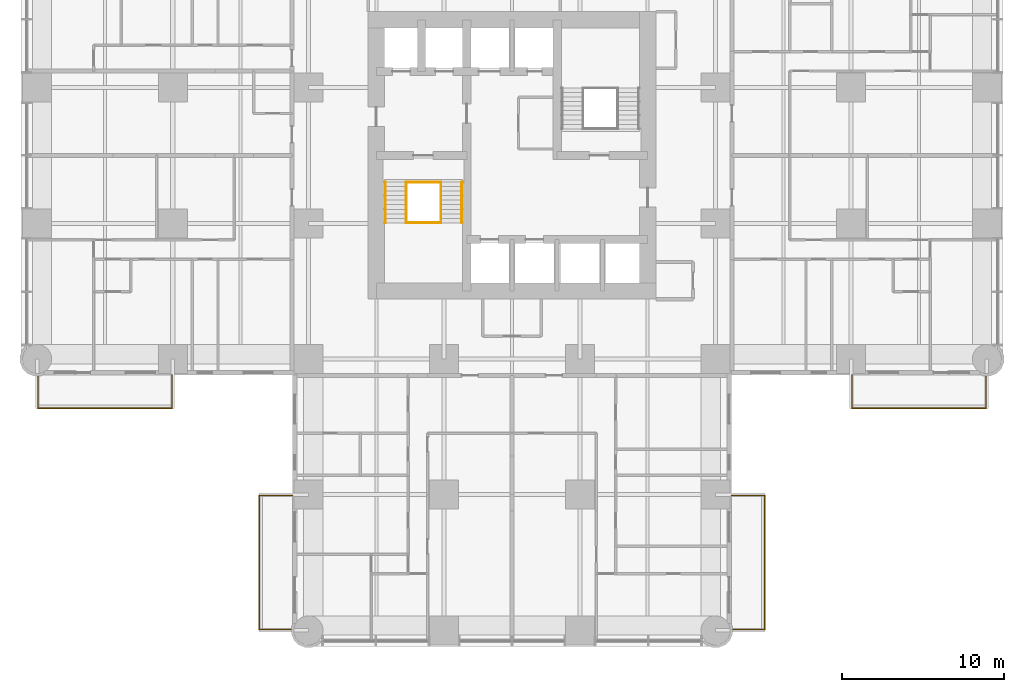
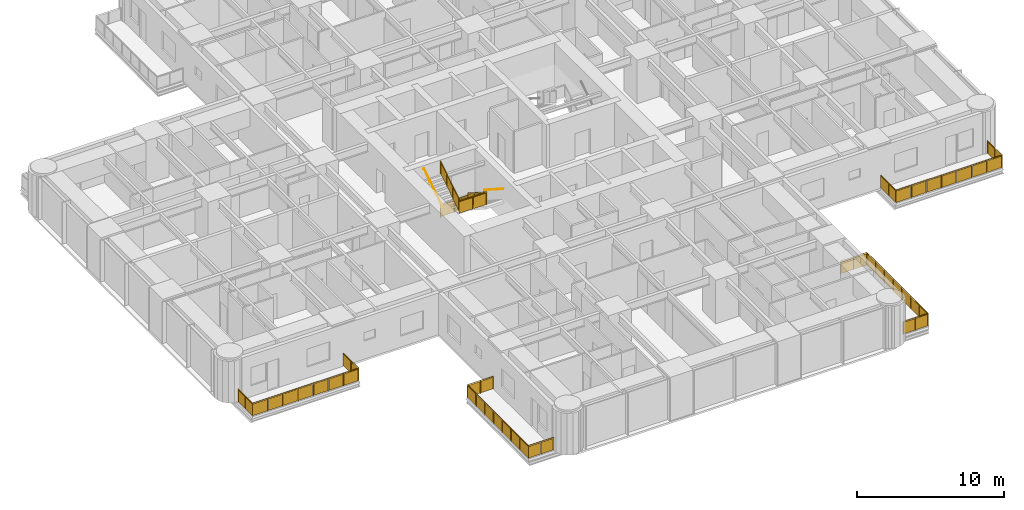
# One storey, part 16 of 17: 10 railings.
"""IFC4 building model written with IfcOpenShell, lengths in metres."""

import ifcopenshell
import ifcopenshell.guid

model = None  # the IFC model being written
_history = None  # IfcOwnerHistory: only IFC2X3 demands one
_inside = {}  # id of a spatial element -> (the spatial element, [elements in it])
_under = {}  # id of a project, library or spatial element -> (it, [spatial elements below it])
_declared = {}  # id of a project -> (the project, [libraries it declares])
_typed = {}  # id of a type object -> (the type object, [elements of that type])
_made_of = {}  # id of a material, layer set ... -> (it, [elements and type objects made of it])


def new_model(schema):
    """Start an empty IFC model of exactly this schema.

    Asked for "IFC4X3", IfcOpenShell would pick the latest addendum, in which some entities
    have other attributes; the version numbers below select the first issue.
    IFC2X3 requires an IfcOwnerHistory on every rooted entity: one is made here for all.
    """
    global model, _history
    if schema == "IFC4X3":
        model = ifcopenshell.file(schema_version=(4, 3, 0, 0))
    else:
        model = ifcopenshell.file(schema=schema)
    _inside.clear()
    _under.clear()
    _declared.clear()
    _typed.clear()
    _made_of.clear()
    _history = None
    if model.schema == "IFC2X3":
        org = make("IfcOrganization", Name="unknown")
        user = make(
            "IfcPersonAndOrganization",
            ThePerson=make("IfcPerson", FamilyName="unknown"),
            TheOrganization=org,
        )
        app = make(
            "IfcApplication",
            ApplicationDeveloper=org,
            Version="unknown",
            ApplicationFullName="unknown",
            ApplicationIdentifier="unknown",
        )
        _history = make(
            "IfcOwnerHistory",
            OwningUser=user,
            OwningApplication=app,
            ChangeAction="ADDED",
            CreationDate=0,
        )
    return model


def make(cls, **values):
    """One entity of the class cls with the attributes given. An attribute that is None is left unset."""
    return model.create_entity(
        cls, **{name: value for name, value in values.items() if value is not None}
    )


def rooted(cls, **values):
    """An entity with a GlobalId (a new one), such as an element, a storey or a relation."""
    return make(cls, GlobalId=ifcopenshell.guid.new(), OwnerHistory=_history, **values)


def si_unit(unit_type, name, prefix=None):
    """IfcSIUnit, for example si_unit("LENGTHUNIT", "METRE", prefix="MILLI")."""
    return make("IfcSIUnit", UnitType=unit_type, Prefix=prefix, Name=name)


def assignment(units):
    """IfcUnitAssignment: the units of a project."""
    return None if units is None else make("IfcUnitAssignment", Units=units)


def point(xyz):
    """IfcCartesianPoint."""
    return None if xyz is None else make("IfcCartesianPoint", Coordinates=xyz)


def direction(xyz):
    """IfcDirection."""
    return None if xyz is None else make("IfcDirection", DirectionRatios=xyz)


def frame(location, z_axis=None, x_axis=None):
    """IfcAxis2Placement3D, a coordinate frame: its origin and axes. An axis left out is left unset."""
    return make(
        "IfcAxis2Placement3D",
        Location=point(location),
        Axis=direction(z_axis),
        RefDirection=direction(x_axis),
    )


def frame_2d(location, x_axis=None):
    """IfcAxis2Placement2D, a coordinate frame in the plane: its origin and x axis."""
    return make(
        "IfcAxis2Placement2D", Location=point(location), RefDirection=direction(x_axis)
    )


def origin():
    """The frame at (0, 0, 0) with its axes left unset."""
    return frame((0.0, 0.0, 0.0))


def origin_2d():
    """The frame at (0, 0) in the plane with its x axis left unset."""
    return frame_2d((0.0, 0.0))


def place(relative_to, where):
    """IfcLocalPlacement: puts the frame where relative to a parent placement (None: the world)."""
    return make(
        "IfcLocalPlacement", PlacementRelTo=relative_to, RelativePlacement=where
    )


def context(
    kind, dimensions, precision=None, world=None, true_north=None, identifier=None
):
    """IfcGeometricRepresentationContext, for example the 3D "Model" context."""
    return make(
        "IfcGeometricRepresentationContext",
        ContextIdentifier=identifier,
        ContextType=kind,
        CoordinateSpaceDimension=dimensions,
        Precision=precision,
        WorldCoordinateSystem=world,
        TrueNorth=true_north,
    )


def subcontext(parent, identifier, kind, view, scale=None):
    """IfcGeometricRepresentationSubContext, for example "Body" below "Model"."""
    return make(
        "IfcGeometricRepresentationSubContext",
        ContextIdentifier=identifier,
        ContextType=kind,
        ParentContext=parent,
        TargetScale=scale,
        TargetView=view,
    )


def project(units=None, contexts=None):
    """IfcProject with its units and contexts."""
    return rooted(
        "IfcProject",
        Name="project",
        RepresentationContexts=contexts,
        UnitsInContext=assignment(units),
    )


def spatial(cls, under=None, at=None, **own):
    """A site, building, storey or space (cls), placed at a placement, below another one or the project."""
    s = rooted(cls, ObjectPlacement=at, **own)
    if under is not None:
        _under.setdefault(under.id(), (under, []))[1].append(s)
    return s


def polyline(points):
    """IfcPolyline through the points."""
    return make("IfcPolyline", Points=[point(p) for p in points])


def profile(cls, at=None, kind="AREA", **sizes):
    """A parametric profile (cls). Its sizes go by their IFC names, for example OverallWidth=200.0."""
    return make(cls, ProfileType=kind, Position=at, **sizes)


def circle(**sizes):
    """IfcCircleProfileDef."""
    return profile("IfcCircleProfileDef", **sizes)


def outline(outer, holes=None, kind="AREA"):
    """IfcArbitraryClosedProfileDef: a profile drawn as a closed curve; with holes, ...WithVoids."""
    if holes is None:
        return make("IfcArbitraryClosedProfileDef", ProfileType=kind, OuterCurve=outer)
    return make(
        "IfcArbitraryProfileDefWithVoids",
        ProfileType=kind,
        OuterCurve=outer,
        InnerCurves=holes,
    )


def extrude(swept, where, along, depth):
    """IfcExtrudedAreaSolid: the profile swept, set in the frame where, extruded along a direction by depth."""
    return make(
        "IfcExtrudedAreaSolid",
        SweptArea=swept,
        Position=where,
        ExtrudedDirection=direction(along),
        Depth=depth,
    )


def shape(context_of_items, identifier, shape_type, items):
    """IfcShapeRepresentation: the items that make up one representation, for example the "Body"."""
    return make(
        "IfcShapeRepresentation",
        ContextOfItems=context_of_items,
        RepresentationIdentifier=identifier,
        RepresentationType=shape_type,
        Items=items,
    )


def material(Name=None, Category=None):
    """IfcMaterial."""
    return make("IfcMaterial", Name=Name, Category=Category)


def constituent(of_material, Name=None, Category=None, fraction=None):
    """IfcMaterialConstituent: one of the materials an element consists of."""
    return make(
        "IfcMaterialConstituent",
        Name=Name,
        Material=of_material,
        Fraction=fraction,
        Category=Category,
    )


def constituent_set(constituents=None, Name=None):
    """IfcMaterialConstituentSet."""
    return make(
        "IfcMaterialConstituentSet", Name=Name, MaterialConstituents=constituents
    )


def made_of(thing, what):
    """Note that an element or type object is made of a material, layer set ...; save() writes the relation."""
    if what is not None:
        _made_of.setdefault(what.id(), (what, []))[1].append(thing)
    return thing


def type_object(cls, material=None, **own):
    """A type object (cls), such as IfcWallType, which elements share."""
    return made_of(rooted(cls, **own), material)


def element(
    cls,
    number,
    at=None,
    inside=None,
    cuts=None,
    type_object=None,
    material=None,
    context=None,
    identifier="Body",
    shape_type=None,
    held_by="IfcProductDefinitionShape",
    body=None,
    shapes=None,
    **own,
):
    """One element of the class cls, such as IfcWall. Its Tag is "e" and its number.

    at: its placement. inside: the storey or other place that contains it. cuts: it is an
    opening in that element (IfcRelVoidsElement). A single representation is given by context,
    identifier, shape_type and body (its items); several are given by shapes. held_by: the class
    of the entity that holds the representations. save() writes the other relations.
    """
    e = rooted(cls, Tag="e%d" % number, ObjectPlacement=at, **own)
    if body is not None:
        shapes = [shape(context, identifier, shape_type, body)]
    if shapes is not None:
        e.Representation = make(held_by, Representations=shapes)
    if inside is not None:
        _inside.setdefault(inside.id(), (inside, []))[1].append(e)
    if cuts is not None:
        rooted(
            "IfcRelVoidsElement", RelatingBuildingElement=cuts, RelatedOpeningElement=e
        )
    if type_object is not None:
        _typed.setdefault(type_object.id(), (type_object, []))[1].append(e)
    return made_of(e, material)


def aggregate(whole, parts):
    """IfcRelAggregates: a whole, such as a stair, and the parts it consists of."""
    return rooted("IfcRelAggregates", RelatingObject=whole, RelatedObjects=parts)


def save(model, path):
    """Write the relations noted so far, then the file.

    IfcRelAggregates (storeys below a building ...), IfcRelContainedInSpatialStructure (elements
    in a storey), IfcRelDefinesByType, IfcRelAssociatesMaterial and IfcRelDeclares: one each for
    every whole, place, type object, material and project.
    """
    for whole, parts in _under.values():
        aggregate(whole, parts)
    for where, things in _inside.values():
        rooted(
            "IfcRelContainedInSpatialStructure",
            RelatedElements=things,
            RelatingStructure=where,
        )
    for kind, things in _typed.values():
        rooted("IfcRelDefinesByType", RelatedObjects=things, RelatingType=kind)
    for what, things in _made_of.values():
        rooted("IfcRelAssociatesMaterial", RelatedObjects=things, RelatingMaterial=what)
    for by, libraries in _declared.values():
        rooted("IfcRelDeclares", RelatingContext=by, RelatedDefinitions=libraries)
    model.write(path)


model = new_model("IFC4")

# Units and contexts
model_context = context("Model", 3, precision=1e-05, world=origin(), true_north=direction((0.0, 1.0)))
body_context = subcontext(model_context, "Body", "Model", "MODEL_VIEW")
ifc_project = project(units=[si_unit("LENGTHUNIT", "METRE"), si_unit("AREAUNIT", "SQUARE_METRE"), si_unit("VOLUMEUNIT", "CUBIC_METRE"), si_unit("PLANEANGLEUNIT", "RADIAN"), si_unit("MASSUNIT", "GRAM", prefix="KILO")], contexts=[model_context])

# Site, building, storey
site_placement = place(None, origin())
site = spatial("IfcSite", under=ifc_project, at=site_placement, CompositionType="ELEMENT")
building_placement = place(site_placement, origin())
building = spatial("IfcBuilding", under=site, at=building_placement, Name="Torre Alcanfor", CompositionType="ELEMENT")
storey_placement = place(building_placement, frame((0.0, 0.0, 41.699951171875)))
storey = spatial("IfcBuildingStorey", under=building, at=storey_placement, Name="L09", CompositionType="ELEMENT", Elevation=41.699951171875)

# Railings
ifc_material_1 = material(Name="Laminated safety glass", Category="glass")
ifc_constituent_1 = constituent(ifc_material_1, Name="Infill")
ifc_material_2 = material(Name="Stainless steel ASTM A554 Grade MT 316L tube", Category="steel")
ifc_constituent_2 = constituent(ifc_material_2, Name="Posts and rail")
ifc_constituent_set = constituent_set(constituents=[ifc_constituent_1, ifc_constituent_2], Name="Balcony guard glass 1100")
railing_type_1 = type_object("IfcRailingType", Name="Balcony guard glass 1100", PredefinedType="BALUSTRADE", material=ifc_constituent_set)
railing_1_placement = place(storey_placement, frame((50.449951171875, 15.800048828125, 0.0)))
element("IfcRailing", 1, at=railing_1_placement, inside=storey, type_object=railing_type_1, Name="Balcony guard L09-E2", PredefinedType="BALUSTRADE", context=body_context, shape_type="SweptSolid", body=[
    extrude(circle(Radius=0.02392578125, at=origin_2d()), frame((0.0, 0.0, 1.076171875), z_axis=(0.0, -1.0, 0.0), x_axis=(1.0, 0.0, 0.0)), (0.0, 0.0, 1.0), 2.050048828125),
    extrude(circle(Radius=0.02392578125, at=origin_2d()), frame((0.0, -2.050048828125, 1.076171875), z_axis=(1.0, 0.0, 0.0), x_axis=(0.0, 1.0, 0.0)), (0.0, 0.0, 1.0), 8.300048828125),
    extrude(circle(Radius=0.02392578125, at=origin_2d()), frame((8.300048828125, -2.050048828125, 1.076171875), z_axis=(0.0, 1.0, 0.0), x_axis=(-1.0, 0.0, 0.0)), (0.0, 0.0, 1.0), 1.968994140625),
    extrude(circle(Radius=0.02099609375, at=origin_2d()), origin(), (0.0, 0.0, 1.0), 1.052001953125),
    extrude(circle(Radius=0.02099609375, at=origin_2d()), frame((0.0, -1.02490234375, 0.0)), (0.0, 0.0, 1.0), 1.052001953125),
    extrude(circle(Radius=0.02099609375, at=origin_2d()), frame((0.0, -2.050048828125, 0.0)), (0.0, 0.0, 1.0), 1.052001953125),
    extrude(circle(Radius=0.02099609375, at=origin_2d()), frame((1.185791015625, -2.050048828125, 0.0)), (0.0, 0.0, 1.0), 1.052001953125),
    extrude(circle(Radius=0.02099609375, at=origin_2d()), frame((2.371337890625, -2.050048828125, 0.0)), (0.0, 0.0, 1.0), 1.052001953125),
    extrude(circle(Radius=0.02099609375, at=origin_2d()), frame((3.55712890625, -2.050048828125, 0.0)), (0.0, 0.0, 1.0), 1.052001953125),
    extrude(circle(Radius=0.02099609375, at=origin_2d()), frame((4.742919921875, -2.050048828125, 0.0)), (0.0, 0.0, 1.0), 1.052001953125),
    extrude(circle(Radius=0.02099609375, at=origin_2d()), frame((5.9287109375, -2.050048828125, 0.0)), (0.0, 0.0, 1.0), 1.052001953125),
    extrude(circle(Radius=0.02099609375, at=origin_2d()), frame((7.1142578125, -2.050048828125, 0.0)), (0.0, 0.0, 1.0), 1.052001953125),
    extrude(circle(Radius=0.02099609375, at=origin_2d()), frame((8.300048828125, -2.050048828125, 0.0)), (0.0, 0.0, 1.0), 1.052001953125),
    extrude(circle(Radius=0.02099609375, at=origin_2d()), frame((8.300048828125, -1.0654296875, 0.0)), (0.0, 0.0, 1.0), 1.052001953125),
    extrude(circle(Radius=0.02099609375, at=origin_2d()), frame((8.300048828125, -0.0810546875, 0.0)), (0.0, 0.0, 1.0), 1.052001953125),
    extrude(outline(polyline([(0.041015625, 0.050048828125), (0.984130859375, 0.050048828125), (0.984130859375, 1.001953125), (0.041015625, 1.001953125), (0.041015625, 0.050048828125)])), frame((0.005859375, 0.0, 0.0), z_axis=(-1.0, 0.0, 0.0), x_axis=(0.0, -1.0, 0.0)), (0.0, 0.0, 1.0), 0.011962890625),
    extrude(outline(polyline([(1.06591796875, 0.050048828125), (2.009033203125, 0.050048828125), (2.009033203125, 1.001953125), (1.06591796875, 1.001953125), (1.06591796875, 0.050048828125)])), frame((0.005859375, 0.0, 0.0), z_axis=(-1.0, 0.0, 0.0), x_axis=(0.0, -1.0, 0.0)), (0.0, 0.0, 1.0), 0.011962890625),
    extrude(outline(polyline([(0.041015625, 0.050048828125), (1.144775390625, 0.050048828125), (1.144775390625, 1.001953125), (0.041015625, 1.001953125), (0.041015625, 0.050048828125)])), frame((0.0, -2.0439453125, 0.0), z_axis=(0.0, -1.0, 0.0), x_axis=(1.0, 0.0, 0.0)), (0.0, 0.0, 1.0), 0.011962890625),
    extrude(outline(polyline([(1.226806640625, 0.050048828125), (2.330322265625, 0.050048828125), (2.330322265625, 1.001953125), (1.226806640625, 1.001953125), (1.226806640625, 0.050048828125)])), frame((0.0, -2.0439453125, 0.0), z_axis=(0.0, -1.0, 0.0), x_axis=(1.0, 0.0, 0.0)), (0.0, 0.0, 1.0), 0.011962890625),
    extrude(outline(polyline([(2.412353515625, 0.050048828125), (3.51611328125, 0.050048828125), (3.51611328125, 1.001953125), (2.412353515625, 1.001953125), (2.412353515625, 0.050048828125)])), frame((0.0, -2.0439453125, 0.0), z_axis=(0.0, -1.0, 0.0), x_axis=(1.0, 0.0, 0.0)), (0.0, 0.0, 1.0), 0.011962890625),
    extrude(outline(polyline([(3.59814453125, 0.050048828125), (4.701904296875, 0.050048828125), (4.701904296875, 1.001953125), (3.59814453125, 1.001953125), (3.59814453125, 0.050048828125)])), frame((0.0, -2.0439453125, 0.0), z_axis=(0.0, -1.0, 0.0), x_axis=(1.0, 0.0, 0.0)), (0.0, 0.0, 1.0), 0.011962890625),
    extrude(outline(polyline([(4.783935546875, 0.050048828125), (5.8876953125, 0.050048828125), (5.8876953125, 1.001953125), (4.783935546875, 1.001953125), (4.783935546875, 0.050048828125)])), frame((0.0, -2.0439453125, 0.0), z_axis=(0.0, -1.0, 0.0), x_axis=(1.0, 0.0, 0.0)), (0.0, 0.0, 1.0), 0.011962890625),
    extrude(outline(polyline([(5.9697265625, 0.050048828125), (7.0732421875, 0.050048828125), (7.0732421875, 1.001953125), (5.9697265625, 1.001953125), (5.9697265625, 0.050048828125)])), frame((0.0, -2.0439453125, 0.0), z_axis=(0.0, -1.0, 0.0), x_axis=(1.0, 0.0, 0.0)), (0.0, 0.0, 1.0), 0.011962890625),
    extrude(outline(polyline([(7.1552734375, 0.050048828125), (8.259033203125, 0.050048828125), (8.259033203125, 1.001953125), (7.1552734375, 1.001953125), (7.1552734375, 0.050048828125)])), frame((0.0, -2.0439453125, 0.0), z_axis=(0.0, -1.0, 0.0), x_axis=(1.0, 0.0, 0.0)), (0.0, 0.0, 1.0), 0.011962890625),
    extrude(outline(polyline([(0.041015625, 0.050048828125), (0.943603515625, 0.050048828125), (0.943603515625, 1.001953125), (0.041015625, 1.001953125), (0.041015625, 0.050048828125)])), frame((8.2939453125, -2.050048828125, 0.0), z_axis=(1.0, 0.0, 0.0), x_axis=(0.0, 1.0, 0.0)), (0.0, 0.0, 1.0), 0.011962890625),
    extrude(outline(polyline([(1.025390625, 0.050048828125), (1.927978515625, 0.050048828125), (1.927978515625, 1.001953125), (1.025390625, 1.001953125), (1.025390625, 0.050048828125)])), frame((8.2939453125, -2.050048828125, 0.0), z_axis=(1.0, 0.0, 0.0), x_axis=(0.0, 1.0, 0.0)), (0.0, 0.0, 1.0), 0.011962890625),
])
railing_2_placement = place(storey_placement, frame((43.0, 8.35009765625, 0.0)))
element("IfcRailing", 2, at=railing_2_placement, inside=storey, type_object=railing_type_1, Name="Balcony guard L09-S1", PredefinedType="BALUSTRADE", context=body_context, shape_type="SweptSolid", body=[
    extrude(circle(Radius=0.02392578125, at=origin_2d()), frame((0.0, 0.0, 1.076171875), z_axis=(1.0, 0.0, 0.0), x_axis=(0.0, 1.0, 0.0)), (0.0, 0.0, 1.0), 2.050048828125),
    extrude(circle(Radius=0.02392578125, at=origin_2d()), frame((2.050048828125, 0.0, 1.076171875), z_axis=(0.0, -1.0, 0.0), x_axis=(1.0, 0.0, 0.0)), (0.0, 0.0, 1.0), 8.300048828125),
    extrude(circle(Radius=0.02392578125, at=origin_2d()), frame((2.050048828125, -8.300048828125, 1.076171875), z_axis=(-1.0, 0.0, 0.0), x_axis=(0.0, -1.0, 0.0)), (0.0, 0.0, 1.0), 1.968994140625),
    extrude(circle(Radius=0.02099609375, at=origin_2d()), origin(), (0.0, 0.0, 1.0), 1.052001953125),
    extrude(circle(Radius=0.02099609375, at=origin_2d()), frame((1.02490234375, 0.0, 0.0)), (0.0, 0.0, 1.0), 1.052001953125),
    extrude(circle(Radius=0.02099609375, at=origin_2d()), frame((2.050048828125, 0.0, 0.0)), (0.0, 0.0, 1.0), 1.052001953125),
    extrude(circle(Radius=0.02099609375, at=origin_2d()), frame((2.050048828125, -1.185791015625, 0.0)), (0.0, 0.0, 1.0), 1.052001953125),
    extrude(circle(Radius=0.02099609375, at=origin_2d()), frame((2.050048828125, -2.371337890625, 0.0)), (0.0, 0.0, 1.0), 1.052001953125),
    extrude(circle(Radius=0.02099609375, at=origin_2d()), frame((2.050048828125, -3.55712890625, 0.0)), (0.0, 0.0, 1.0), 1.052001953125),
    extrude(circle(Radius=0.02099609375, at=origin_2d()), frame((2.050048828125, -4.742919921875, 0.0)), (0.0, 0.0, 1.0), 1.052001953125),
    extrude(circle(Radius=0.02099609375, at=origin_2d()), frame((2.050048828125, -5.9287109375, 0.0)), (0.0, 0.0, 1.0), 1.052001953125),
    extrude(circle(Radius=0.02099609375, at=origin_2d()), frame((2.050048828125, -7.1142578125, 0.0)), (0.0, 0.0, 1.0), 1.052001953125),
    extrude(circle(Radius=0.02099609375, at=origin_2d()), frame((2.050048828125, -8.300048828125, 0.0)), (0.0, 0.0, 1.0), 1.052001953125),
    extrude(circle(Radius=0.02099609375, at=origin_2d()), frame((1.0654296875, -8.300048828125, 0.0)), (0.0, 0.0, 1.0), 1.052001953125),
    extrude(circle(Radius=0.02099609375, at=origin_2d()), frame((0.0810546875, -8.300048828125, 0.0)), (0.0, 0.0, 1.0), 1.052001953125),
    extrude(outline(polyline([(0.041015625, 0.050048828125), (0.984130859375, 0.050048828125), (0.984130859375, 1.001953125), (0.041015625, 1.001953125), (0.041015625, 0.050048828125)])), frame((0.0, 0.005859375, 0.0), z_axis=(0.0, -1.0, 0.0), x_axis=(1.0, 0.0, 0.0)), (0.0, 0.0, 1.0), 0.011962890625),
    extrude(outline(polyline([(1.06591796875, 0.050048828125), (2.009033203125, 0.050048828125), (2.009033203125, 1.001953125), (1.06591796875, 1.001953125), (1.06591796875, 0.050048828125)])), frame((0.0, 0.005859375, 0.0), z_axis=(0.0, -1.0, 0.0), x_axis=(1.0, 0.0, 0.0)), (0.0, 0.0, 1.0), 0.011962890625),
    extrude(outline(polyline([(0.041015625, 0.050048828125), (1.144775390625, 0.050048828125), (1.144775390625, 1.001953125), (0.041015625, 1.001953125), (0.041015625, 0.050048828125)])), frame((2.05615234375, 0.0, 0.0), z_axis=(-1.0, 0.0, 0.0), x_axis=(0.0, -1.0, 0.0)), (0.0, 0.0, 1.0), 0.011962890625),
    extrude(outline(polyline([(1.226806640625, 0.050048828125), (2.330322265625, 0.050048828125), (2.330322265625, 1.001953125), (1.226806640625, 1.001953125), (1.226806640625, 0.050048828125)])), frame((2.05615234375, 0.0, 0.0), z_axis=(-1.0, 0.0, 0.0), x_axis=(0.0, -1.0, 0.0)), (0.0, 0.0, 1.0), 0.011962890625),
    extrude(outline(polyline([(2.412353515625, 0.050048828125), (3.51611328125, 0.050048828125), (3.51611328125, 1.001953125), (2.412353515625, 1.001953125), (2.412353515625, 0.050048828125)])), frame((2.05615234375, 0.0, 0.0), z_axis=(-1.0, 0.0, 0.0), x_axis=(0.0, -1.0, 0.0)), (0.0, 0.0, 1.0), 0.011962890625),
    extrude(outline(polyline([(3.59814453125, 0.050048828125), (4.701904296875, 0.050048828125), (4.701904296875, 1.001953125), (3.59814453125, 1.001953125), (3.59814453125, 0.050048828125)])), frame((2.05615234375, 0.0, 0.0), z_axis=(-1.0, 0.0, 0.0), x_axis=(0.0, -1.0, 0.0)), (0.0, 0.0, 1.0), 0.011962890625),
    extrude(outline(polyline([(4.783935546875, 0.050048828125), (5.8876953125, 0.050048828125), (5.8876953125, 1.001953125), (4.783935546875, 1.001953125), (4.783935546875, 0.050048828125)])), frame((2.05615234375, 0.0, 0.0), z_axis=(-1.0, 0.0, 0.0), x_axis=(0.0, -1.0, 0.0)), (0.0, 0.0, 1.0), 0.011962890625),
    extrude(outline(polyline([(5.9697265625, 0.050048828125), (7.0732421875, 0.050048828125), (7.0732421875, 1.001953125), (5.9697265625, 1.001953125), (5.9697265625, 0.050048828125)])), frame((2.05615234375, 0.0, 0.0), z_axis=(-1.0, 0.0, 0.0), x_axis=(0.0, -1.0, 0.0)), (0.0, 0.0, 1.0), 0.011962890625),
    extrude(outline(polyline([(7.1552734375, 0.050048828125), (8.259033203125, 0.050048828125), (8.259033203125, 1.001953125), (7.1552734375, 1.001953125), (7.1552734375, 0.050048828125)])), frame((2.05615234375, 0.0, 0.0), z_axis=(-1.0, 0.0, 0.0), x_axis=(0.0, -1.0, 0.0)), (0.0, 0.0, 1.0), 0.011962890625),
    extrude(outline(polyline([(0.041015625, 0.050048828125), (0.943603515625, 0.050048828125), (0.943603515625, 1.001953125), (0.041015625, 1.001953125), (0.041015625, 0.050048828125)])), frame((2.050048828125, -8.30615234375, 0.0), z_axis=(0.0, 1.0, 0.0), x_axis=(-1.0, 0.0, 0.0)), (0.0, 0.0, 1.0), 0.011962890625),
    extrude(outline(polyline([(1.025390625, 0.050048828125), (1.927978515625, 0.050048828125), (1.927978515625, 1.001953125), (1.025390625, 1.001953125), (1.025390625, 0.050048828125)])), frame((2.050048828125, -8.30615234375, 0.0), z_axis=(0.0, 1.0, 0.0), x_axis=(-1.0, 0.0, 0.0)), (0.0, 0.0, 1.0), 0.011962890625),
])
railing_3_placement = place(storey_placement, frame((15.800048828125, 8.35009765625, 0.0)))
element("IfcRailing", 3, at=railing_3_placement, inside=storey, type_object=railing_type_1, Name="Balcony guard L09-S2", PredefinedType="BALUSTRADE", context=body_context, shape_type="SweptSolid", body=[
    extrude(circle(Radius=0.02392578125, at=origin_2d()), frame((0.0, 0.0, 1.076171875), z_axis=(-1.0, 0.0, 0.0), x_axis=(0.0, -1.0, 0.0)), (0.0, 0.0, 1.0), 2.050048828125),
    extrude(circle(Radius=0.02392578125, at=origin_2d()), frame((-2.050048828125, 0.0, 1.076171875), z_axis=(0.0, -1.0, 0.0), x_axis=(1.0, 0.0, 0.0)), (0.0, 0.0, 1.0), 8.300048828125),
    extrude(circle(Radius=0.02392578125, at=origin_2d()), frame((-2.050048828125, -8.300048828125, 1.076171875), z_axis=(1.0, 0.0, 0.0), x_axis=(0.0, 1.0, 0.0)), (0.0, 0.0, 1.0), 1.968994140625),
    extrude(circle(Radius=0.02099609375, at=origin_2d()), origin(), (0.0, 0.0, 1.0), 1.052001953125),
    extrude(circle(Radius=0.02099609375, at=origin_2d()), frame((-1.02490234375, 0.0, 0.0)), (0.0, 0.0, 1.0), 1.052001953125),
    extrude(circle(Radius=0.02099609375, at=origin_2d()), frame((-2.050048828125, 0.0, 0.0)), (0.0, 0.0, 1.0), 1.052001953125),
    extrude(circle(Radius=0.02099609375, at=origin_2d()), frame((-2.050048828125, -1.185791015625, 0.0)), (0.0, 0.0, 1.0), 1.052001953125),
    extrude(circle(Radius=0.02099609375, at=origin_2d()), frame((-2.050048828125, -2.371337890625, 0.0)), (0.0, 0.0, 1.0), 1.052001953125),
    extrude(circle(Radius=0.02099609375, at=origin_2d()), frame((-2.050048828125, -3.55712890625, 0.0)), (0.0, 0.0, 1.0), 1.052001953125),
    extrude(circle(Radius=0.02099609375, at=origin_2d()), frame((-2.050048828125, -4.742919921875, 0.0)), (0.0, 0.0, 1.0), 1.052001953125),
    extrude(circle(Radius=0.02099609375, at=origin_2d()), frame((-2.050048828125, -5.9287109375, 0.0)), (0.0, 0.0, 1.0), 1.052001953125),
    extrude(circle(Radius=0.02099609375, at=origin_2d()), frame((-2.050048828125, -7.1142578125, 0.0)), (0.0, 0.0, 1.0), 1.052001953125),
    extrude(circle(Radius=0.02099609375, at=origin_2d()), frame((-2.050048828125, -8.300048828125, 0.0)), (0.0, 0.0, 1.0), 1.052001953125),
    extrude(circle(Radius=0.02099609375, at=origin_2d()), frame((-1.0654296875, -8.300048828125, 0.0)), (0.0, 0.0, 1.0), 1.052001953125),
    extrude(circle(Radius=0.02099609375, at=origin_2d()), frame((-0.0810546875, -8.300048828125, 0.0)), (0.0, 0.0, 1.0), 1.052001953125),
    extrude(outline(polyline([(0.041015625, 0.050048828125), (0.984130859375, 0.050048828125), (0.984130859375, 1.001953125), (0.041015625, 1.001953125), (0.041015625, 0.050048828125)])), frame((0.0, -0.005859375, 0.0), z_axis=(0.0, 1.0, 0.0), x_axis=(-1.0, 0.0, 0.0)), (0.0, 0.0, 1.0), 0.011962890625),
    extrude(outline(polyline([(1.06591796875, 0.050048828125), (2.009033203125, 0.050048828125), (2.009033203125, 1.001953125), (1.06591796875, 1.001953125), (1.06591796875, 0.050048828125)])), frame((0.0, -0.005859375, 0.0), z_axis=(0.0, 1.0, 0.0), x_axis=(-1.0, 0.0, 0.0)), (0.0, 0.0, 1.0), 0.011962890625),
    extrude(outline(polyline([(0.041015625, 0.050048828125), (1.144775390625, 0.050048828125), (1.144775390625, 1.001953125), (0.041015625, 1.001953125), (0.041015625, 0.050048828125)])), frame((-2.0439453125, 0.0, 0.0), z_axis=(-1.0, 0.0, 0.0), x_axis=(0.0, -1.0, 0.0)), (0.0, 0.0, 1.0), 0.011962890625),
    extrude(outline(polyline([(1.226806640625, 0.050048828125), (2.330322265625, 0.050048828125), (2.330322265625, 1.001953125), (1.226806640625, 1.001953125), (1.226806640625, 0.050048828125)])), frame((-2.0439453125, 0.0, 0.0), z_axis=(-1.0, 0.0, 0.0), x_axis=(0.0, -1.0, 0.0)), (0.0, 0.0, 1.0), 0.011962890625),
    extrude(outline(polyline([(2.412353515625, 0.050048828125), (3.51611328125, 0.050048828125), (3.51611328125, 1.001953125), (2.412353515625, 1.001953125), (2.412353515625, 0.050048828125)])), frame((-2.0439453125, 0.0, 0.0), z_axis=(-1.0, 0.0, 0.0), x_axis=(0.0, -1.0, 0.0)), (0.0, 0.0, 1.0), 0.011962890625),
    extrude(outline(polyline([(3.59814453125, 0.050048828125), (4.701904296875, 0.050048828125), (4.701904296875, 1.001953125), (3.59814453125, 1.001953125), (3.59814453125, 0.050048828125)])), frame((-2.0439453125, 0.0, 0.0), z_axis=(-1.0, 0.0, 0.0), x_axis=(0.0, -1.0, 0.0)), (0.0, 0.0, 1.0), 0.011962890625),
    extrude(outline(polyline([(4.783935546875, 0.050048828125), (5.8876953125, 0.050048828125), (5.8876953125, 1.001953125), (4.783935546875, 1.001953125), (4.783935546875, 0.050048828125)])), frame((-2.0439453125, 0.0, 0.0), z_axis=(-1.0, 0.0, 0.0), x_axis=(0.0, -1.0, 0.0)), (0.0, 0.0, 1.0), 0.011962890625),
    extrude(outline(polyline([(5.9697265625, 0.050048828125), (7.0732421875, 0.050048828125), (7.0732421875, 1.001953125), (5.9697265625, 1.001953125), (5.9697265625, 0.050048828125)])), frame((-2.0439453125, 0.0, 0.0), z_axis=(-1.0, 0.0, 0.0), x_axis=(0.0, -1.0, 0.0)), (0.0, 0.0, 1.0), 0.011962890625),
    extrude(outline(polyline([(7.1552734375, 0.050048828125), (8.259033203125, 0.050048828125), (8.259033203125, 1.001953125), (7.1552734375, 1.001953125), (7.1552734375, 0.050048828125)])), frame((-2.0439453125, 0.0, 0.0), z_axis=(-1.0, 0.0, 0.0), x_axis=(0.0, -1.0, 0.0)), (0.0, 0.0, 1.0), 0.011962890625),
    extrude(outline(polyline([(0.041015625, 0.050048828125), (0.943603515625, 0.050048828125), (0.943603515625, 1.001953125), (0.041015625, 1.001953125), (0.041015625, 0.050048828125)])), frame((-2.050048828125, -8.2939453125, 0.0), z_axis=(0.0, -1.0, 0.0), x_axis=(1.0, 0.0, 0.0)), (0.0, 0.0, 1.0), 0.011962890625),
    extrude(outline(polyline([(1.025390625, 0.050048828125), (1.927978515625, 0.050048828125), (1.927978515625, 1.001953125), (1.025390625, 1.001953125), (1.025390625, 0.050048828125)])), frame((-2.050048828125, -8.2939453125, 0.0), z_axis=(0.0, -1.0, 0.0), x_axis=(1.0, 0.0, 0.0)), (0.0, 0.0, 1.0), 0.011962890625),
])
railing_4_placement = place(storey_placement, frame((8.35009765625, 15.800048828125, 0.0)))
element("IfcRailing", 4, at=railing_4_placement, inside=storey, type_object=railing_type_1, Name="Balcony guard L09-W1", PredefinedType="BALUSTRADE", context=body_context, shape_type="SweptSolid", body=[
    extrude(circle(Radius=0.02392578125, at=origin_2d()), frame((0.0, 0.0, 1.076171875), z_axis=(0.0, -1.0, 0.0), x_axis=(1.0, 0.0, 0.0)), (0.0, 0.0, 1.0), 2.050048828125),
    extrude(circle(Radius=0.02392578125, at=origin_2d()), frame((0.0, -2.050048828125, 1.076171875), z_axis=(-1.0, 0.0, 0.0), x_axis=(0.0, -1.0, 0.0)), (0.0, 0.0, 1.0), 8.300048828125),
    extrude(circle(Radius=0.02392578125, at=origin_2d()), frame((-8.300048828125, -2.050048828125, 1.076171875), z_axis=(0.0, 1.0, 0.0), x_axis=(-1.0, 0.0, 0.0)), (0.0, 0.0, 1.0), 1.968994140625),
    extrude(circle(Radius=0.02099609375, at=origin_2d()), origin(), (0.0, 0.0, 1.0), 1.052001953125),
    extrude(circle(Radius=0.02099609375, at=origin_2d()), frame((0.0, -1.02490234375, 0.0)), (0.0, 0.0, 1.0), 1.052001953125),
    extrude(circle(Radius=0.02099609375, at=origin_2d()), frame((0.0, -2.050048828125, 0.0)), (0.0, 0.0, 1.0), 1.052001953125),
    extrude(circle(Radius=0.02099609375, at=origin_2d()), frame((-1.185791015625, -2.050048828125, 0.0)), (0.0, 0.0, 1.0), 1.052001953125),
    extrude(circle(Radius=0.02099609375, at=origin_2d()), frame((-2.371337890625, -2.050048828125, 0.0)), (0.0, 0.0, 1.0), 1.052001953125),
    extrude(circle(Radius=0.02099609375, at=origin_2d()), frame((-3.55712890625, -2.050048828125, 0.0)), (0.0, 0.0, 1.0), 1.052001953125),
    extrude(circle(Radius=0.02099609375, at=origin_2d()), frame((-4.742919921875, -2.050048828125, 0.0)), (0.0, 0.0, 1.0), 1.052001953125),
    extrude(circle(Radius=0.02099609375, at=origin_2d()), frame((-5.9287109375, -2.050048828125, 0.0)), (0.0, 0.0, 1.0), 1.052001953125),
    extrude(circle(Radius=0.02099609375, at=origin_2d()), frame((-7.1142578125, -2.050048828125, 0.0)), (0.0, 0.0, 1.0), 1.052001953125),
    extrude(circle(Radius=0.02099609375, at=origin_2d()), frame((-8.300048828125, -2.050048828125, 0.0)), (0.0, 0.0, 1.0), 1.052001953125),
    extrude(circle(Radius=0.02099609375, at=origin_2d()), frame((-8.300048828125, -1.0654296875, 0.0)), (0.0, 0.0, 1.0), 1.052001953125),
    extrude(circle(Radius=0.02099609375, at=origin_2d()), frame((-8.300048828125, -0.0810546875, 0.0)), (0.0, 0.0, 1.0), 1.052001953125),
    extrude(outline(polyline([(0.041015625, 0.050048828125), (0.984130859375, 0.050048828125), (0.984130859375, 1.001953125), (0.041015625, 1.001953125), (0.041015625, 0.050048828125)])), frame((0.005859375, 0.0, 0.0), z_axis=(-1.0, 0.0, 0.0), x_axis=(0.0, -1.0, 0.0)), (0.0, 0.0, 1.0), 0.011962890625),
    extrude(outline(polyline([(1.06591796875, 0.050048828125), (2.009033203125, 0.050048828125), (2.009033203125, 1.001953125), (1.06591796875, 1.001953125), (1.06591796875, 0.050048828125)])), frame((0.005859375, 0.0, 0.0), z_axis=(-1.0, 0.0, 0.0), x_axis=(0.0, -1.0, 0.0)), (0.0, 0.0, 1.0), 0.011962890625),
    extrude(outline(polyline([(0.041015625, 0.050048828125), (1.144775390625, 0.050048828125), (1.144775390625, 1.001953125), (0.041015625, 1.001953125), (0.041015625, 0.050048828125)])), frame((0.0, -2.05615234375, 0.0), z_axis=(0.0, 1.0, 0.0), x_axis=(-1.0, 0.0, 0.0)), (0.0, 0.0, 1.0), 0.011962890625),
    extrude(outline(polyline([(1.226806640625, 0.050048828125), (2.330322265625, 0.050048828125), (2.330322265625, 1.001953125), (1.226806640625, 1.001953125), (1.226806640625, 0.050048828125)])), frame((0.0, -2.05615234375, 0.0), z_axis=(0.0, 1.0, 0.0), x_axis=(-1.0, 0.0, 0.0)), (0.0, 0.0, 1.0), 0.011962890625),
    extrude(outline(polyline([(2.412353515625, 0.050048828125), (3.51611328125, 0.050048828125), (3.51611328125, 1.001953125), (2.412353515625, 1.001953125), (2.412353515625, 0.050048828125)])), frame((0.0, -2.05615234375, 0.0), z_axis=(0.0, 1.0, 0.0), x_axis=(-1.0, 0.0, 0.0)), (0.0, 0.0, 1.0), 0.011962890625),
    extrude(outline(polyline([(3.59814453125, 0.050048828125), (4.701904296875, 0.050048828125), (4.701904296875, 1.001953125), (3.59814453125, 1.001953125), (3.59814453125, 0.050048828125)])), frame((0.0, -2.05615234375, 0.0), z_axis=(0.0, 1.0, 0.0), x_axis=(-1.0, 0.0, 0.0)), (0.0, 0.0, 1.0), 0.011962890625),
    extrude(outline(polyline([(4.783935546875, 0.050048828125), (5.8876953125, 0.050048828125), (5.8876953125, 1.001953125), (4.783935546875, 1.001953125), (4.783935546875, 0.050048828125)])), frame((0.0, -2.05615234375, 0.0), z_axis=(0.0, 1.0, 0.0), x_axis=(-1.0, 0.0, 0.0)), (0.0, 0.0, 1.0), 0.011962890625),
    extrude(outline(polyline([(5.9697265625, 0.050048828125), (7.0732421875, 0.050048828125), (7.0732421875, 1.001953125), (5.9697265625, 1.001953125), (5.9697265625, 0.050048828125)])), frame((0.0, -2.05615234375, 0.0), z_axis=(0.0, 1.0, 0.0), x_axis=(-1.0, 0.0, 0.0)), (0.0, 0.0, 1.0), 0.011962890625),
    extrude(outline(polyline([(7.1552734375, 0.050048828125), (8.259033203125, 0.050048828125), (8.259033203125, 1.001953125), (7.1552734375, 1.001953125), (7.1552734375, 0.050048828125)])), frame((0.0, -2.05615234375, 0.0), z_axis=(0.0, 1.0, 0.0), x_axis=(-1.0, 0.0, 0.0)), (0.0, 0.0, 1.0), 0.011962890625),
    extrude(outline(polyline([(0.041015625, 0.050048828125), (0.943603515625, 0.050048828125), (0.943603515625, 1.001953125), (0.041015625, 1.001953125), (0.041015625, 0.050048828125)])), frame((-8.30615234375, -2.050048828125, 0.0), z_axis=(1.0, 0.0, 0.0), x_axis=(0.0, 1.0, 0.0)), (0.0, 0.0, 1.0), 0.011962890625),
    extrude(outline(polyline([(1.025390625, 0.050048828125), (1.927978515625, 0.050048828125), (1.927978515625, 1.001953125), (1.025390625, 1.001953125), (1.025390625, 0.050048828125)])), frame((-8.30615234375, -2.050048828125, 0.0), z_axis=(1.0, 0.0, 0.0), x_axis=(0.0, 1.0, 0.0)), (0.0, 0.0, 1.0), 0.011962890625),
])
ifc_material_3 = material(Name="Steel ASTM A500 Grade C hollow sections", Category="steel")
railing_type_2 = type_object("IfcRailingType", Name="Stair guard and handrail 1100", PredefinedType="GUARDRAIL", material=ifc_material_3)
railing_5_placement = place(storey_placement, frame((25.0, 27.75, 0.179931640625)))
element("IfcRailing", 5, at=railing_5_placement, inside=storey, type_object=railing_type_2, Name="Stair guard S1 L09 flight 1", PredefinedType="GUARDRAIL", context=body_context, shape_type="SweptSolid", body=[
    extrude(circle(Radius=0.02392578125, at=origin_2d()), frame((0.0, 0.0, 1.076171875), z_axis=(0.0, -0.841162588446, 0.540782303519), x_axis=(1.0, 0.0, 0.0)), (0.0, 0.0, 1.0), 2.995849609375),
    extrude(circle(Radius=0.02099609375, at=origin_2d()), origin(), (0.0, 0.0, 1.0), 1.052001953125),
    extrude(circle(Radius=0.02099609375, at=origin_2d()), frame((0.0, -0.840087890625, 0.5400390625)), (0.0, 0.0, 1.0), 1.052001953125),
    extrude(circle(Radius=0.02099609375, at=origin_2d()), frame((0.0, -1.679931640625, 1.080078125)), (0.0, 0.0, 1.0), 1.052001953125),
    extrude(circle(Radius=0.02099609375, at=origin_2d()), frame((0.0, -2.52001953125, 1.6201171875)), (0.0, 0.0, 1.0), 1.052001953125),
    extrude(outline(polyline([(0.041015625, 0.076416015625), (0.799072265625, 0.563720703125), (0.799072265625, 1.515625), (0.041015625, 1.0283203125), (0.041015625, 0.076416015625)])), frame((0.005859375, 0.0, 0.0), z_axis=(-1.0, 0.0, 0.0), x_axis=(0.0, -1.0, 0.0)), (0.0, 0.0, 1.0), 0.011962890625),
    extrude(outline(polyline([(0.881103515625, 0.616455078125), (1.638916015625, 1.103759765625), (1.638916015625, 2.0556640625), (0.881103515625, 1.568359375), (0.881103515625, 0.616455078125)])), frame((0.005859375, 0.0, 0.0), z_axis=(-1.0, 0.0, 0.0), x_axis=(0.0, -1.0, 0.0)), (0.0, 0.0, 1.0), 0.011962890625),
    extrude(outline(polyline([(1.720947265625, 1.156494140625), (2.47900390625, 1.643798828125), (2.47900390625, 2.595703125), (1.720947265625, 2.1083984375), (1.720947265625, 1.156494140625)])), frame((0.005859375, 0.0, 0.0), z_axis=(-1.0, 0.0, 0.0), x_axis=(0.0, -1.0, 0.0)), (0.0, 0.0, 1.0), 0.011962890625),
])
railing_6_placement = place(storey_placement, frame((22.85009765625, 25.22998046875, 1.97998046875)))
element("IfcRailing", 6, at=railing_6_placement, inside=storey, type_object=railing_type_2, Name="Stair guard S1 L09 flight 2", PredefinedType="GUARDRAIL", context=body_context, shape_type="SweptSolid", body=[
    extrude(circle(Radius=0.02392578125, at=origin_2d()), frame((0.0, 0.0, 1.076171875), z_axis=(0.0, 0.841162588446, 0.540782303519), x_axis=(-1.0, 0.0, 0.0)), (0.0, 0.0, 1.0), 2.995849609375),
    extrude(circle(Radius=0.02099609375, at=origin_2d()), origin(), (0.0, 0.0, 1.0), 1.052001953125),
    extrude(circle(Radius=0.02099609375, at=origin_2d()), frame((0.0, 0.840087890625, 0.5400390625)), (0.0, 0.0, 1.0), 1.052001953125),
    extrude(circle(Radius=0.02099609375, at=origin_2d()), frame((0.0, 1.679931640625, 1.080078125)), (0.0, 0.0, 1.0), 1.052001953125),
    extrude(circle(Radius=0.02099609375, at=origin_2d()), frame((0.0, 2.52001953125, 1.6201171875)), (0.0, 0.0, 1.0), 1.052001953125),
    extrude(outline(polyline([(0.041015625, 0.076416015625), (0.799072265625, 0.563720703125), (0.799072265625, 1.515625), (0.041015625, 1.0283203125), (0.041015625, 0.076416015625)])), frame((-0.005859375, 0.0, 0.0), z_axis=(1.0, 0.0, 0.0), x_axis=(0.0, 1.0, 0.0)), (0.0, 0.0, 1.0), 0.011962890625),
    extrude(outline(polyline([(0.881103515625, 0.616455078125), (1.638916015625, 1.103759765625), (1.638916015625, 2.0556640625), (0.881103515625, 1.568359375), (0.881103515625, 0.616455078125)])), frame((-0.005859375, 0.0, 0.0), z_axis=(1.0, 0.0, 0.0), x_axis=(0.0, 1.0, 0.0)), (0.0, 0.0, 1.0), 0.011962890625),
    extrude(outline(polyline([(1.720947265625, 1.156494140625), (2.47900390625, 1.643798828125), (2.47900390625, 2.595703125), (1.720947265625, 2.1083984375), (1.720947265625, 1.156494140625)])), frame((-0.005859375, 0.0, 0.0), z_axis=(1.0, 0.0, 0.0), x_axis=(0.0, 1.0, 0.0)), (0.0, 0.0, 1.0), 0.011962890625),
])
for number, where, name in (
    (7, (22.85009765625, 27.75, 0.0), "Stair well guard S1 L09 floor landing"),
    (8, (22.85009765625, 25.22998046875, 1.800048828125), "Stair well guard S1 L09 half landing"),
):
    element("IfcRailing", number, at=place(storey_placement, frame(where)), inside=storey, type_object=railing_type_2, Name=name, PredefinedType="GUARDRAIL", context=body_context, shape_type="SweptSolid", body=[
        extrude(circle(Radius=0.02392578125, at=origin_2d()), frame((0.0, 0.0, 1.076171875), z_axis=(1.0, 0.0, 0.0), x_axis=(0.0, 1.0, 0.0)), (0.0, 0.0, 1.0), 2.14990234375),
        extrude(circle(Radius=0.02099609375, at=origin_2d()), origin(), (0.0, 0.0, 1.0), 1.052001953125),
        extrude(circle(Radius=0.02099609375, at=origin_2d()), frame((1.074951171875, 0.0, 0.0)), (0.0, 0.0, 1.0), 1.052001953125),
        extrude(circle(Radius=0.02099609375, at=origin_2d()), frame((2.14990234375, 0.0, 0.0)), (0.0, 0.0, 1.0), 1.052001953125),
        extrude(outline(polyline([(0.041015625, 0.050048828125), (1.033935546875, 0.050048828125), (1.033935546875, 1.001953125), (0.041015625, 1.001953125), (0.041015625, 0.050048828125)])), frame((0.0, 0.005859375, 0.0), z_axis=(0.0, -1.0, 0.0), x_axis=(1.0, 0.0, 0.0)), (0.0, 0.0, 1.0), 0.011962890625),
        extrude(outline(polyline([(1.115966796875, 0.050048828125), (2.10888671875, 0.050048828125), (2.10888671875, 1.001953125), (1.115966796875, 1.001953125), (1.115966796875, 0.050048828125)])), frame((0.0, 0.005859375, 0.0), z_axis=(0.0, -1.0, 0.0), x_axis=(1.0, 0.0, 0.0)), (0.0, 0.0, 1.0), 0.011962890625),
    ])
ifc_material_4 = material(Name="Steel ASTM A500 Grade C hollow sections", Category="steel")
railing_type_3 = type_object("IfcRailingType", Name="Stair wall handrail 900", PredefinedType="HANDRAIL", material=ifc_material_4)
railing_7_placement = place(storey_placement, frame((26.284912109375, 27.75, 0.179931640625)))
element("IfcRailing", 9, at=railing_7_placement, inside=storey, type_object=railing_type_3, Name="Stair handrail S1 L09 flight 1", PredefinedType="HANDRAIL", context=body_context, shape_type="SweptSolid", body=[
    extrude(circle(Radius=0.02392578125, at=origin_2d()), frame((0.0, 0.0, 0.8759765625), z_axis=(0.0, -0.841162588446, 0.540782303519), x_axis=(1.0, 0.0, 0.0)), (0.0, 0.0, 1.0), 2.995849609375),
    extrude(circle(Radius=0.008056640625, at=origin_2d()), frame((0.0, 0.0, 0.8759765625), z_axis=(1.0, 0.0, 0.0), x_axis=(0.0, 0.0, 1.0)), (0.0, 0.0, 1.0), 0.06494140625),
    extrude(circle(Radius=0.008056640625, at=origin_2d()), frame((0.0, -0.840087890625, 1.416015625), z_axis=(1.0, 0.0, 0.0), x_axis=(0.0, 0.0, 1.0)), (0.0, 0.0, 1.0), 0.06494140625),
    extrude(circle(Radius=0.008056640625, at=origin_2d()), frame((0.0, -1.679931640625, 1.9560546875), z_axis=(1.0, 0.0, 0.0), x_axis=(0.0, 0.0, 1.0)), (0.0, 0.0, 1.0), 0.06494140625),
    extrude(circle(Radius=0.008056640625, at=origin_2d()), frame((0.0, -2.52001953125, 2.49609375), z_axis=(1.0, 0.0, 0.0), x_axis=(0.0, 0.0, 1.0)), (0.0, 0.0, 1.0), 0.06494140625),
])
railing_8_placement = place(storey_placement, frame((21.56494140625, 25.22998046875, 1.97998046875)))
element("IfcRailing", 10, at=railing_8_placement, inside=storey, type_object=railing_type_3, Name="Stair handrail S1 L09 flight 2", PredefinedType="HANDRAIL", context=body_context, shape_type="SweptSolid", body=[
    extrude(circle(Radius=0.02392578125, at=origin_2d()), frame((0.0, 0.0, 0.8759765625), z_axis=(0.0, 0.841162588446, 0.540782303519), x_axis=(-1.0, 0.0, 0.0)), (0.0, 0.0, 1.0), 2.995849609375),
    extrude(circle(Radius=0.008056640625, at=origin_2d()), frame((0.0, 0.0, 0.8759765625), z_axis=(-1.0, 0.0, 0.0), x_axis=(0.0, 0.0, 1.0)), (0.0, 0.0, 1.0), 0.06494140625),
    extrude(circle(Radius=0.008056640625, at=origin_2d()), frame((0.0, 0.840087890625, 1.416015625), z_axis=(-1.0, 0.0, 0.0), x_axis=(0.0, 0.0, 1.0)), (0.0, 0.0, 1.0), 0.06494140625),
    extrude(circle(Radius=0.008056640625, at=origin_2d()), frame((0.0, 1.679931640625, 1.9560546875), z_axis=(-1.0, 0.0, 0.0), x_axis=(0.0, 0.0, 1.0)), (0.0, 0.0, 1.0), 0.06494140625),
    extrude(circle(Radius=0.008056640625, at=origin_2d()), frame((0.0, 2.52001953125, 2.49609375), z_axis=(-1.0, 0.0, 0.0), x_axis=(0.0, 0.0, 1.0)), (0.0, 0.0, 1.0), 0.06494140625),
])

save(model, "model.ifc")
